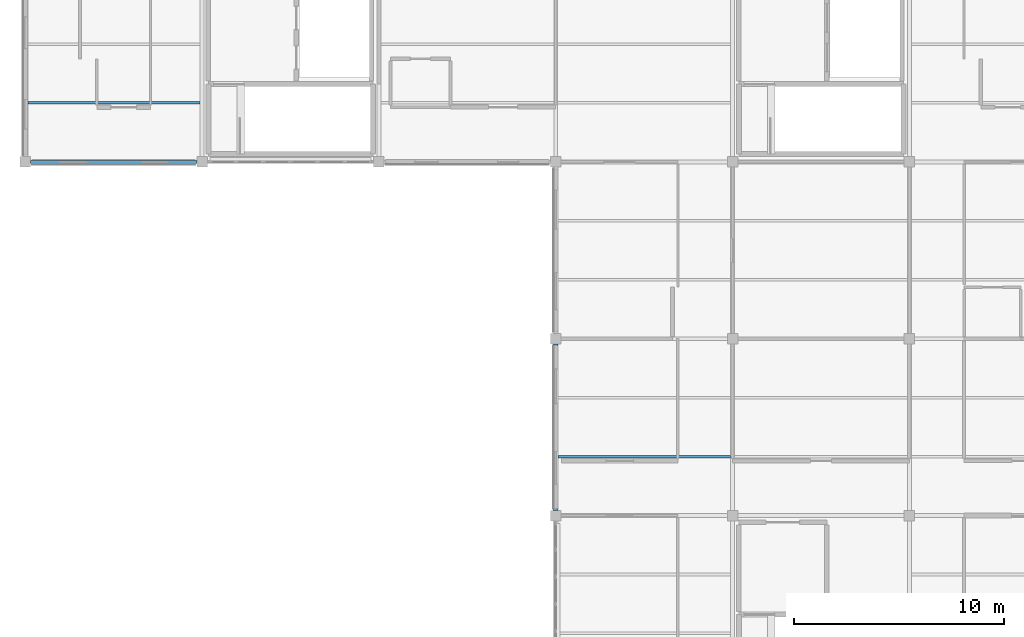
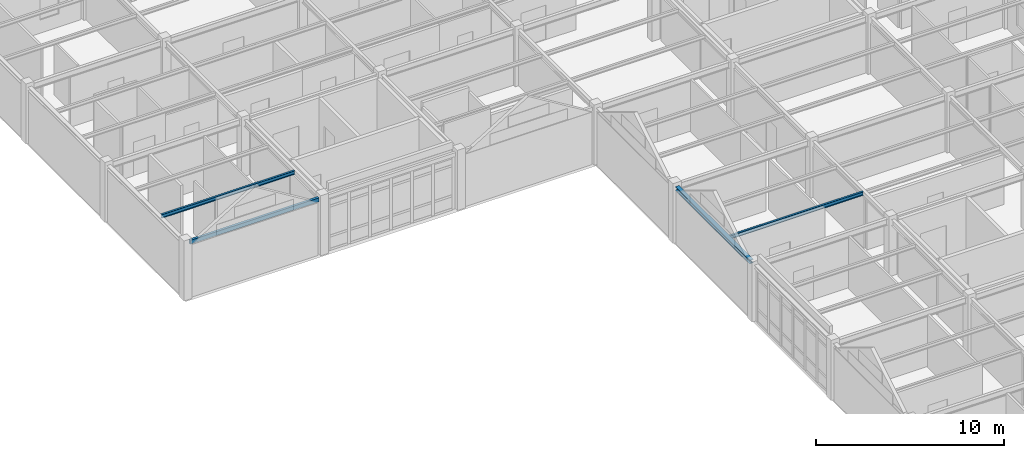
# One storey, part 11 of 45: 4 beams.
"""IFC4 building model written with IfcOpenShell, lengths in metres."""

from ifc_helpers import new_model, si_unit, direction, frame, origin, origin_2d, place, context, subcontext, project, spatial, hollow_rectangle, i_section, extrude, material, material_profile, profile_set, type_object, element, save


model = new_model("IFC4")

# Units and contexts
model_context = context("Model", 3, precision=1e-05, world=origin(), true_north=direction((0.0, 1.0)))
body_context = subcontext(model_context, "Body", "Model", "MODEL_VIEW")
ifc_project = project(units=[si_unit("LENGTHUNIT", "METRE"), si_unit("AREAUNIT", "SQUARE_METRE"), si_unit("VOLUMEUNIT", "CUBIC_METRE"), si_unit("PLANEANGLEUNIT", "RADIAN"), si_unit("MASSUNIT", "GRAM", prefix="KILO")], contexts=[model_context])

# Site, building, storey
site_placement = place(None, origin())
site = spatial("IfcSite", under=ifc_project, at=site_placement, CompositionType="ELEMENT")
building_placement = place(site_placement, origin())
building = spatial("IfcBuilding", under=site, at=building_placement, Name="Bramfleet General Hospital", CompositionType="ELEMENT")
storey_placement = place(building_placement, frame((0.0, 0.0, 30.300048828125)))
storey = spatial("IfcBuildingStorey", under=building, at=storey_placement, Name="L07", CompositionType="ELEMENT", Elevation=30.300048828125)

# Beams
ifc_material = material(Name="Steel S355", Category="steel")
ifc_material_profile_1 = material_profile(ifc_material, i_section(OverallWidth=0.239990234375, OverallDepth=0.22998046875, WebThickness=0.007568359375, FlangeThickness=0.011962890625, FilletRadius=0.02099609375, at=origin_2d()), Name="HEA 240")
ifc_profile_set_1 = profile_set([ifc_material_profile_1], Name="Steel S355")
beam_type_1 = type_object("IfcBeamType", Name="BM-HEA240", PredefinedType="SPANDREL", material=ifc_profile_set_1)
beam_1_placement = place(storey_placement, frame((92.39990234375, 75.85009765625, 3.544921875), z_axis=(0.0, 1.0, 0.0), x_axis=(-1.0, 0.0, 0.0)))
element("IfcBeam", 1, at=beam_1_placement, inside=storey, type_object=beam_type_1, Name="L07 Grid Beam Y 11-09", PredefinedType="SPANDREL", context=body_context, shape_type="SweptSolid", body=[
    extrude(i_section(OverallWidth=0.239990234375, OverallDepth=0.22998046875, WebThickness=0.007568359375, FlangeThickness=0.011962890625, FilletRadius=0.02099609375, at=origin_2d()), origin(), (0.0, 0.0, 1.0), 7.89990234375),
])
ifc_material_profile_2 = material_profile(ifc_material, i_section(OverallWidth=0.1201171875, OverallDepth=0.239990234375, WebThickness=0.006103515625, FlangeThickness=0.009765625, FilletRadius=0.014892578125, at=origin_2d()), Name="IPE 240")
ifc_profile_set_2 = profile_set([ifc_material_profile_2], Name="Steel S355")
beam_type_2 = type_object("IfcBeamType", Name="BM-IPE240", PredefinedType="JOIST", material=ifc_profile_set_2)
for number, where, z_axis, x_axis, name in (
    (2, (67.320068359375, 95.199951171875, 3.5400390625), (1.0, 0.0, 0.0), (0.0, 1.0, 0.0), "L07 Secondary Joist 08-11-1"),
    (3, (92.52001953125, 78.39990234375, 3.5400390625), (1.0, 0.0, 0.0), (0.0, 1.0, 0.0), "L07 Secondary Joist 11-09-1"),
):
    element("IfcBeam", number, at=place(storey_placement, frame(where, z_axis=z_axis, x_axis=x_axis)), inside=storey, type_object=beam_type_2, Name=name, PredefinedType="JOIST", context=body_context, shape_type="SweptSolid", body=[
        extrude(i_section(OverallWidth=0.1201171875, OverallDepth=0.239990234375, WebThickness=0.006103515625, FlangeThickness=0.009765625, FilletRadius=0.014892578125, at=origin_2d()), origin(), (0.0, 0.0, 1.0), 8.18994140625),
    ])
ifc_material_profile_3 = material_profile(ifc_material, hollow_rectangle(XDim=0.14990234375, YDim=0.25, WallThickness=0.010009765625, at=origin_2d()), Name="RHS 250x150x10.0")
ifc_profile_set_3 = profile_set([ifc_material_profile_3], Name="Steel S355")
beam_type_3 = type_object("IfcBeamType", Name="BM-RHS250", PredefinedType="SPANDREL", material=ifc_profile_set_3)
beam_2_placement = place(storey_placement, frame((67.449951171875, 92.39990234375, 3.534912109375), z_axis=(1.0, 0.0, 0.0), x_axis=(0.0, 1.0, 0.0)))
element("IfcBeam", 4, at=beam_2_placement, inside=storey, type_object=beam_type_3, Name="L07 Grid Beam X 08-11", PredefinedType="SPANDREL", context=body_context, shape_type="SweptSolid", body=[
    extrude(hollow_rectangle(XDim=0.14990234375, YDim=0.25, WallThickness=0.010009765625, at=origin_2d()), origin(), (0.0, 0.0, 1.0), 7.900146484375),
])

save(model, "model.ifc")
